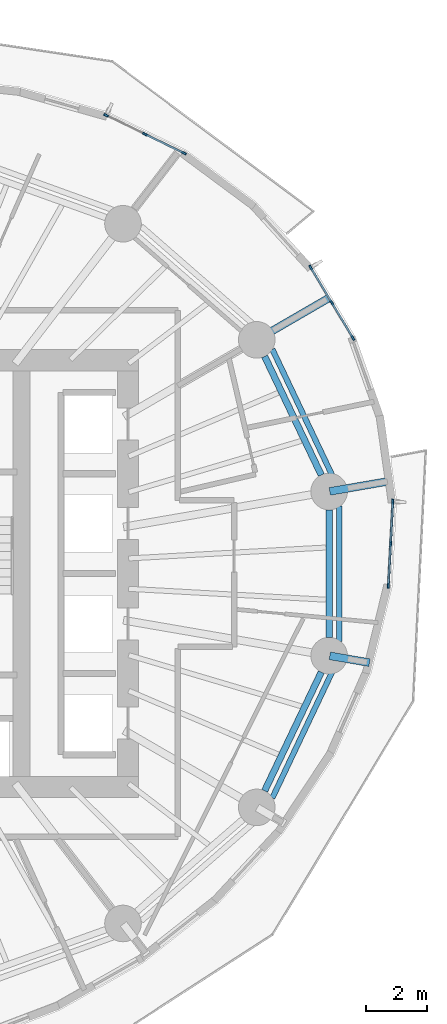
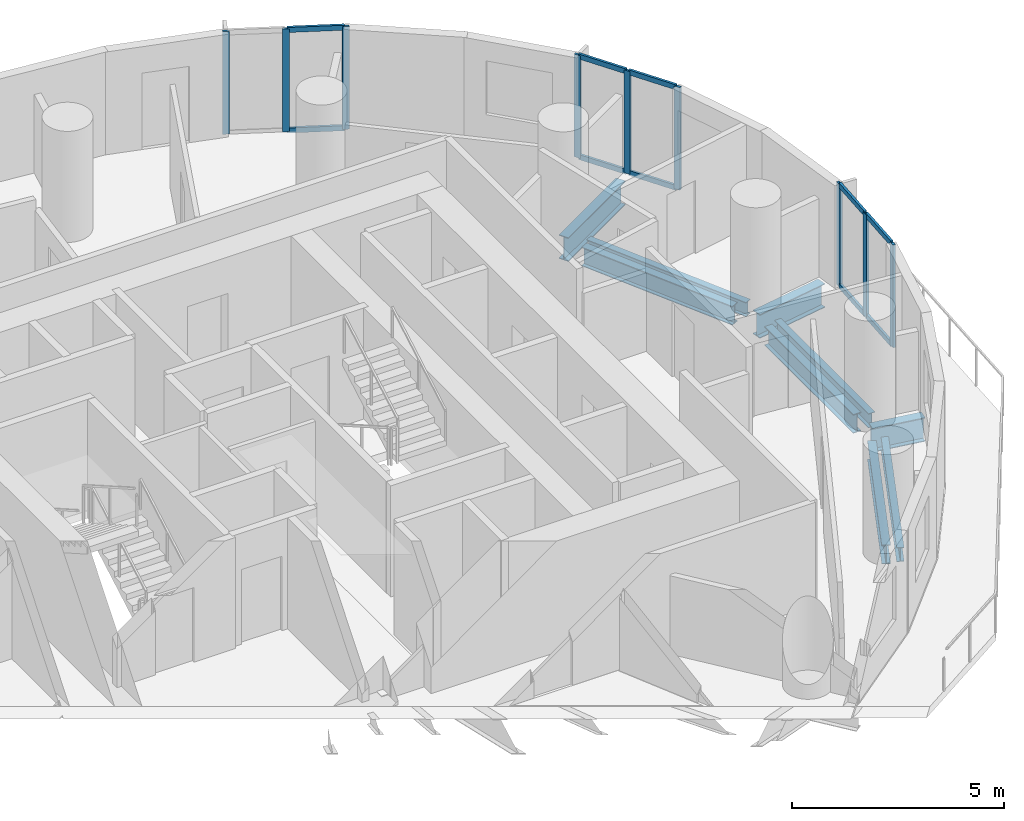
# One storey, part 5 of 15: 19 members, 9 beams, 3 elements without a shape of their own.
"""IFC4 building model written with IfcOpenShell, lengths in metres."""

from ifc_helpers import new_model, si_unit, direction, frame, origin, origin_2d, place, context, subcontext, project, spatial, rectangle, i_section, extrude, material, material_profile, profile_set, type_object, element, aggregate, save


model = new_model("IFC4")

# Units and contexts
model_context = context("Model", 3, precision=1e-05, world=origin(), true_north=direction((0.0, 1.0)))
body_context = subcontext(model_context, "Body", "Model", "MODEL_VIEW")
ifc_project = project(units=[si_unit("LENGTHUNIT", "METRE"), si_unit("AREAUNIT", "SQUARE_METRE"), si_unit("VOLUMEUNIT", "CUBIC_METRE"), si_unit("PLANEANGLEUNIT", "RADIAN"), si_unit("MASSUNIT", "GRAM", prefix="KILO")], contexts=[model_context])

# Site, building, storey
site_placement = place(None, origin())
site = spatial("IfcSite", under=ifc_project, at=site_placement, CompositionType="ELEMENT")
building_placement = place(site_placement, origin())
building = spatial("IfcBuilding", under=site, at=building_placement, Name="Veldorim Arch Residences", CompositionType="ELEMENT")
storey_placement = place(building_placement, frame((0.0, 0.0, 102.8798828125)))
storey = spatial("IfcBuildingStorey", under=building, at=storey_placement, Name="L30", CompositionType="ELEMENT", Elevation=102.8798828125)

# Beams
ifc_material_1 = material(Name="Steel S355", Category="steel")
ifc_material_profile_1 = material_profile(ifc_material_1, i_section(OverallWidth=0.2119140625, OverallDepth=0.54443359375, WebThickness=0.0126953125, FlangeThickness=0.021240234375, at=origin_2d()), Name="UB533x210x122")
ifc_profile_set_1 = profile_set([ifc_material_profile_1], Name="Steel S355")
beam_type_1 = type_object("IfcBeamType", Name="Structural Steel Beam UB533x210x122", PredefinedType="BEAM", material=ifc_profile_set_1)
for number, where, z_axis, x_axis, name in (
    (1, (47.336181640625, 27.233642578125, -0.511962890625), (-0.430720154476, 0.902485539235, 0.0), (-0.902485539235, -0.430720154476, 0.0), "L30 perimeter ring tie beam 01"),
    (2, (45.478759765625, 16.87451171875, -0.511962890625), (0.430720154476, 0.902485539235, 0.0), (-0.902485539235, 0.430720154476, 0.0), "L30 perimeter ring tie beam 15"),
):
    element("IfcBeam", number, at=place(storey_placement, frame(where, z_axis=z_axis, x_axis=x_axis)), inside=storey, type_object=beam_type_1, Name=name, PredefinedType="BEAM", context=body_context, shape_type="SweptSolid", body=[
        extrude(i_section(OverallWidth=0.2119140625, OverallDepth=0.54443359375, WebThickness=0.0126953125, FlangeThickness=0.021240234375, at=origin_2d()), origin(), (0.0, 0.0, 1.0), 4.312255859375),
    ])
beam_1_placement = place(storey_placement, frame((47.594482421875, 21.90771484375, -0.511962890625), z_axis=(0.0, 1.0, 0.0), x_axis=(-1.0, 0.0, 0.0)))
element("IfcBeam", 3, at=beam_1_placement, inside=storey, type_object=beam_type_1, Name="L30 perimeter ring tie beam 16", PredefinedType="BEAM", context=body_context, shape_type="SweptSolid", body=[
    extrude(i_section(OverallWidth=0.2119140625, OverallDepth=0.54443359375, WebThickness=0.0126953125, FlangeThickness=0.021240234375, at=origin_2d()), origin(), (0.0, 0.0, 1.0), 4.1845703125),
])
ifc_material_2 = material(Name="Steel S355", Category="steel")
ifc_material_profile_2 = material_profile(ifc_material_2, i_section(OverallWidth=0.25439453125, OverallDepth=0.6875, WebThickness=0.01318359375, FlangeThickness=0.02099609375, at=origin_2d()), Name="UB686x254x152")
ifc_profile_set_2 = profile_set([ifc_material_profile_2], Name="Steel S355")
beam_type_2 = type_object("IfcBeamType", Name="Structural Steel GIRDER UB686x254x152", PredefinedType="USERDEFINED", material=ifc_profile_set_2)
beam_2_placement = place(storey_placement, frame((47.6142578125, 26.695556640625, -0.58349609375), z_axis=(0.985416355925, 0.170160528549, 0.0), x_axis=(-0.170160528549, 0.985416355925, 0.0)))
element("IfcBeam", 4, at=beam_2_placement, inside=storey, type_object=beam_type_2, Name="L30 radial edge cantilever girder 01", ObjectType="GIRDER", PredefinedType="USERDEFINED", context=body_context, shape_type="SweptSolid", body=[
    extrude(i_section(OverallWidth=0.25439453125, OverallDepth=0.6875, WebThickness=0.01318359375, FlangeThickness=0.02099609375, at=origin_2d()), origin(), (0.0, 0.0, 1.0), 1.99853515625),
])
beam_3_placement = place(storey_placement, frame((45.23779296875, 31.677001953125, -0.58349609375), z_axis=(0.865067975698, 0.501654659523, 0.0), x_axis=(-0.501654659523, 0.865067975698, 0.0)))
element("IfcBeam", 5, at=beam_3_placement, inside=storey, type_object=beam_type_2, Name="L30 radial edge cantilever girder 02", ObjectType="GIRDER", PredefinedType="USERDEFINED", context=body_context, shape_type="SweptSolid", body=[
    extrude(i_section(OverallWidth=0.25439453125, OverallDepth=0.6875, WebThickness=0.01318359375, FlangeThickness=0.02099609375, at=origin_2d()), origin(), (0.0, 0.0, 1.0), 2.707275390625),
])
beam_4_placement = place(storey_placement, frame((47.6142578125, 21.304443359375, -0.58349609375), z_axis=(0.985414257331, -0.170172681262, 0.0), x_axis=(0.170172681262, 0.985414257331, 0.0)))
element("IfcBeam", 6, at=beam_4_placement, inside=storey, type_object=beam_type_2, Name="L30 radial edge cantilever girder 16", ObjectType="GIRDER", PredefinedType="USERDEFINED", context=body_context, shape_type="SweptSolid", body=[
    extrude(i_section(OverallWidth=0.25439453125, OverallDepth=0.6875, WebThickness=0.01318359375, FlangeThickness=0.02099609375, at=origin_2d()), origin(), (0.0, 0.0, 1.0), 1.32275390625),
])
ifc_material_3 = material(Name="Steel S355", Category="steel")
ifc_material_profile_3 = material_profile(ifc_material_3, i_section(OverallWidth=0.1787109375, OverallDepth=0.409423828125, WebThickness=0.0087890625, FlangeThickness=0.014404296875, at=origin_2d()), Name="UB406x178x67")
ifc_profile_set_3 = profile_set([ifc_material_profile_3], Name="Steel S355")
beam_type_3 = type_object("IfcBeamType", Name="Structural Steel Spandrel UB406x178x67", PredefinedType="SPANDREL", material=ifc_profile_set_3)
for number, where, z_axis, x_axis, name in (
    (7, (47.693115234375, 27.225341796875, -0.464599609375), (-0.428857472204, 0.903372165021, 0.0), (-0.903372165021, -0.428857472204, 0.0), "L30 perimeter chord spandrel beam 01"),
    (8, (45.732421875, 16.64453125, -0.464599609375), (0.428857472204, 0.903372165021, 0.0), (-0.903372165021, 0.428857472204, 0.0), "L30 perimeter chord spandrel beam 15"),
):
    element("IfcBeam", number, at=place(storey_placement, frame(where, z_axis=z_axis, x_axis=x_axis)), inside=storey, type_object=beam_type_3, Name=name, PredefinedType="SPANDREL", context=body_context, shape_type="SweptSolid", body=[
        extrude(i_section(OverallWidth=0.1787109375, OverallDepth=0.409423828125, WebThickness=0.0087890625, FlangeThickness=0.014404296875, at=origin_2d()), origin(), (0.0, 0.0, 1.0), 4.572021484375),
    ])
beam_5_placement = place(storey_placement, frame((47.919677734375, 21.77978515625, -0.464599609375), z_axis=(0.0, 1.0, 0.0), x_axis=(-1.0, 0.0, 0.0)))
element("IfcBeam", 9, at=beam_5_placement, inside=storey, type_object=beam_type_3, Name="L30 perimeter chord spandrel beam 16", PredefinedType="SPANDREL", context=body_context, shape_type="SweptSolid", body=[
    extrude(i_section(OverallWidth=0.1787109375, OverallDepth=0.409423828125, WebThickness=0.0087890625, FlangeThickness=0.014404296875, at=origin_2d()), origin(), (0.0, 0.0, 1.0), 4.4404296875),
])

# Curtain wall, members
ifc_material_4 = material(Name="Aluminium", Category="aluminium")
curtain_wall_type = type_object("IfcCurtainWallType", Name="Zone 2 Solar-Control Unitised Curtain Wall", PredefinedType="NOTDEFINED", material=ifc_material_4)
curtain_wall_1_placement = place(storey_placement, origin())
curtain_wall_1 = element("IfcCurtainWall", 10, at=curtain_wall_1_placement, inside=storey, type_object=curtain_wall_type, Name="L30 unitised curtain wall bay 01", PredefinedType="NOTDEFINED")
ifc_material_5 = material(Name="Aluminium", Category="aluminium")
ifc_material_profile_4 = material_profile(ifc_material_5, rectangle(XDim=0.06494140625, YDim=0.1650390625, at=origin_2d()), Name="ALU_MUL_65x165")
ifc_profile_set_4 = profile_set([ifc_material_profile_4], Name="Aluminium")
member_type_1 = type_object("IfcMemberType", Name="Zone 2 Solar-Control Unitised Curtain Wall Mullion 65x165", PredefinedType="MULLION", material=ifc_profile_set_4)
member_1_placement = place(storey_placement, frame((46.989013671875, 34.039794921875, 0.0), z_axis=(0.0, 0.0, 1.0), x_axis=(0.85756971039, 0.514367759315, 0.0)))
member_1 = element("IfcMember", 11, at=member_1_placement, type_object=member_type_1, Name="CW-Z2 mullion 1", PredefinedType="MULLION", context=body_context, shape_type="SweptSolid", body=[
    extrude(rectangle(XDim=0.06494140625, YDim=0.1650390625, at=origin_2d()), origin(), (0.0, 0.0, 1.0), 2.960205078125),
])
member_2_placement = place(storey_placement, frame((47.681396484375, 32.88525390625, 0.0), z_axis=(0.0, 0.0, 1.0), x_axis=(0.85756971039, 0.514367759315, 0.0)))
member_2 = element("IfcMember", 12, at=member_2_placement, type_object=member_type_1, Name="CW-Z2 mullion 2", PredefinedType="MULLION", context=body_context, shape_type="SweptSolid", body=[
    extrude(rectangle(XDim=0.06494140625, YDim=0.1650390625, at=origin_2d()), origin(), (0.0, 0.0, 1.0), 2.960205078125),
])
member_3_placement = place(storey_placement, frame((48.3740234375, 31.730712890625, 0.0), z_axis=(0.0, 0.0, 1.0), x_axis=(0.85756971039, 0.514367759315, 0.0)))
member_3 = element("IfcMember", 13, at=member_3_placement, type_object=member_type_1, Name="CW-Z2 mullion 3", PredefinedType="MULLION", context=body_context, shape_type="SweptSolid", body=[
    extrude(rectangle(XDim=0.06494140625, YDim=0.1650390625, at=origin_2d()), origin(), (0.0, 0.0, 1.0), 2.960205078125),
])

curtain_wall_2_placement = place(storey_placement, origin())
curtain_wall_2 = element("IfcCurtainWall", 14, at=curtain_wall_2_placement, inside=storey, type_object=curtain_wall_type, Name="L30 unitised curtain wall bay 04", PredefinedType="NOTDEFINED")
member_4_placement = place(storey_placement, frame((40.28076171875, 39.030517578125, 0.0), z_axis=(0.0, 0.0, 1.0), x_axis=(0.436999671959, 0.899461664946, 0.0)))
member_4 = element("IfcMember", 15, at=member_4_placement, type_object=member_type_1, Name="CW-Z2 mullion 1", PredefinedType="MULLION", context=body_context, shape_type="SweptSolid", body=[
    extrude(rectangle(XDim=0.06494140625, YDim=0.1650390625, at=origin_2d()), origin(), (0.0, 0.0, 1.0), 2.960205078125),
])
member_5_placement = place(storey_placement, frame((41.55517578125, 38.411376953125, 0.0), z_axis=(0.0, 0.0, 1.0), x_axis=(0.436999671959, 0.899461664946, 0.0)))
member_5 = element("IfcMember", 16, at=member_5_placement, type_object=member_type_1, Name="CW-Z2 mullion 2", PredefinedType="MULLION", context=body_context, shape_type="SweptSolid", body=[
    extrude(rectangle(XDim=0.06494140625, YDim=0.1650390625, at=origin_2d()), origin(), (0.0, 0.0, 1.0), 2.960205078125),
])
member_6_placement = place(storey_placement, frame((42.829345703125, 37.792236328125, 0.0), z_axis=(0.0, 0.0, 1.0), x_axis=(0.436999671959, 0.899461664946, 0.0)))
member_6 = element("IfcMember", 17, at=member_6_placement, type_object=member_type_1, Name="CW-Z2 mullion 3", PredefinedType="MULLION", context=body_context, shape_type="SweptSolid", body=[
    extrude(rectangle(XDim=0.06494140625, YDim=0.1650390625, at=origin_2d()), origin(), (0.0, 0.0, 1.0), 2.960205078125),
])

curtain_wall_3_placement = place(storey_placement, origin())
curtain_wall_3 = element("IfcCurtainWall", 18, at=curtain_wall_3_placement, inside=storey, type_object=curtain_wall_type, Name="L30 unitised curtain wall bay 34", PredefinedType="NOTDEFINED")
member_7_placement = place(storey_placement, frame((49.68408203125, 26.364501953125, 0.0), z_axis=(0.0, 0.0, 1.0), x_axis=(0.998590099536, -0.053083077429, 0.0)))
member_7 = element("IfcMember", 19, at=member_7_placement, type_object=member_type_1, Name="CW-Z2 mullion 1", PredefinedType="MULLION", context=body_context, shape_type="SweptSolid", body=[
    extrude(rectangle(XDim=0.06494140625, YDim=0.1650390625, at=origin_2d()), origin(), (0.0, 0.0, 1.0), 2.960205078125),
])
member_8_placement = place(storey_placement, frame((49.610595703125, 24.982421875, 0.0), z_axis=(0.0, 0.0, 1.0), x_axis=(0.998590099536, -0.053083077429, 0.0)))
member_8 = element("IfcMember", 20, at=member_8_placement, type_object=member_type_1, Name="CW-Z2 mullion 2", PredefinedType="MULLION", context=body_context, shape_type="SweptSolid", body=[
    extrude(rectangle(XDim=0.06494140625, YDim=0.1650390625, at=origin_2d()), origin(), (0.0, 0.0, 1.0), 2.960205078125),
])
member_9_placement = place(storey_placement, frame((49.537109375, 23.60009765625, 0.0), z_axis=(0.0, 0.0, 1.0), x_axis=(0.998590099536, -0.053083077429, 0.0)))
member_9 = element("IfcMember", 21, at=member_9_placement, type_object=member_type_1, Name="CW-Z2 mullion 3", PredefinedType="MULLION", context=body_context, shape_type="SweptSolid", body=[
    extrude(rectangle(XDim=0.06494140625, YDim=0.1650390625, at=origin_2d()), origin(), (0.0, 0.0, 1.0), 2.960205078125),
])

# Member
ifc_material_6 = material(Name="Aluminium", Category="aluminium")
ifc_material_profile_5 = material_profile(ifc_material_6, rectangle(XDim=0.06494140625, YDim=0.14501953125, at=origin_2d()), Name="ALU_TRN_65x145")
ifc_profile_set_5 = profile_set([ifc_material_profile_5], Name="Aluminium")
member_type_2 = type_object("IfcMemberType", Name="Zone 2 Solar-Control Unitised Curtain Wall Transom 65x145", PredefinedType="USERDEFINED", material=ifc_profile_set_5)
member_10_placement = place(storey_placement, frame((47.005615234375, 34.011962890625, 0.03271484375), z_axis=(0.514411698757, -0.857543354112, 0.0), x_axis=(0.857543354112, 0.514411698757, 0.0)))
member_10 = element("IfcMember", 22, at=member_10_placement, type_object=member_type_2, Name="CW-Z2 transom 1.1", ObjectType="TRANSOM", PredefinedType="USERDEFINED", context=body_context, shape_type="SweptSolid", body=[
    extrude(rectangle(XDim=0.06494140625, YDim=0.14501953125, at=origin_2d()), origin(), (0.0, 0.0, 1.0), 1.281494140625),
])

member_11_placement = place(storey_placement, frame((47.005615234375, 34.011962890625, 2.927734375), z_axis=(0.514411698757, -0.857543354112, 0.0), x_axis=(0.857543354112, 0.514411698757, 0.0)))
member_11 = element("IfcMember", 23, at=member_11_placement, type_object=member_type_2, Name="CW-Z2 transom 1.2", ObjectType="TRANSOM", PredefinedType="USERDEFINED", context=body_context, shape_type="SweptSolid", body=[
    extrude(rectangle(XDim=0.06494140625, YDim=0.14501953125, at=origin_2d()), origin(), (0.0, 0.0, 1.0), 1.281494140625),
])

member_12_placement = place(storey_placement, frame((47.6982421875, 32.857421875, 0.03271484375), z_axis=(0.514271571349, -0.85762739631, 0.0), x_axis=(0.85762739631, 0.514271571349, 0.0)))
member_12 = element("IfcMember", 24, at=member_12_placement, type_object=member_type_2, Name="CW-Z2 transom 2.1", ObjectType="TRANSOM", PredefinedType="USERDEFINED", context=body_context, shape_type="SweptSolid", body=[
    extrude(rectangle(XDim=0.06494140625, YDim=0.14501953125, at=origin_2d()), origin(), (0.0, 0.0, 1.0), 1.28125),
])

member_13_placement = place(storey_placement, frame((47.6982421875, 32.857421875, 2.927734375), z_axis=(0.514271571349, -0.85762739631, 0.0), x_axis=(0.85762739631, 0.514271571349, 0.0)))
member_13 = element("IfcMember", 25, at=member_13_placement, type_object=member_type_2, Name="CW-Z2 transom 2.2", ObjectType="TRANSOM", PredefinedType="USERDEFINED", context=body_context, shape_type="SweptSolid", body=[
    extrude(rectangle(XDim=0.06494140625, YDim=0.14501953125, at=origin_2d()), origin(), (0.0, 0.0, 1.0), 1.28125),
])

aggregate(curtain_wall_1, [member_1, member_2, member_3, member_10, member_11, member_12, member_13])

member_14_placement = place(storey_placement, frame((41.584228515625, 38.397216796875, 0.03271484375), z_axis=(0.899427024625, -0.437070963774, 0.0), x_axis=(0.437070963774, 0.899427024625, 0.0)))
member_14 = element("IfcMember", 26, at=member_14_placement, type_object=member_type_2, Name="CW-Z2 transom 2.1", ObjectType="TRANSOM", PredefinedType="USERDEFINED", context=body_context, shape_type="SweptSolid", body=[
    extrude(rectangle(XDim=0.06494140625, YDim=0.14501953125, at=origin_2d()), origin(), (0.0, 0.0, 1.0), 1.351806640625),
])

member_15_placement = place(storey_placement, frame((41.584228515625, 38.397216796875, 2.927734375), z_axis=(0.899427024625, -0.437070963774, 0.0), x_axis=(0.437070963774, 0.899427024625, 0.0)))
member_15 = element("IfcMember", 27, at=member_15_placement, type_object=member_type_2, Name="CW-Z2 transom 2.2", ObjectType="TRANSOM", PredefinedType="USERDEFINED", context=body_context, shape_type="SweptSolid", body=[
    extrude(rectangle(XDim=0.06494140625, YDim=0.14501953125, at=origin_2d()), origin(), (0.0, 0.0, 1.0), 1.351806640625),
])

aggregate(curtain_wall_2, [member_4, member_5, member_6, member_14, member_15])

member_16_placement = place(storey_placement, frame((49.68212890625, 26.33203125, 0.03271484375), z_axis=(-0.052937715551, -0.998597816076, 0.0), x_axis=(0.998597816076, -0.052937715551, 0.0)))
member_16 = element("IfcMember", 28, at=member_16_placement, type_object=member_type_2, Name="CW-Z2 transom 1.1", ObjectType="TRANSOM", PredefinedType="USERDEFINED", context=body_context, shape_type="SweptSolid", body=[
    extrude(rectangle(XDim=0.06494140625, YDim=0.14501953125, at=origin_2d()), origin(), (0.0, 0.0, 1.0), 1.319091796875),
])

member_17_placement = place(storey_placement, frame((49.68212890625, 26.33203125, 2.927734375), z_axis=(-0.052937715551, -0.998597816076, 0.0), x_axis=(0.998597816076, -0.052937715551, 0.0)))
member_17 = element("IfcMember", 29, at=member_17_placement, type_object=member_type_2, Name="CW-Z2 transom 1.2", ObjectType="TRANSOM", PredefinedType="USERDEFINED", context=body_context, shape_type="SweptSolid", body=[
    extrude(rectangle(XDim=0.06494140625, YDim=0.14501953125, at=origin_2d()), origin(), (0.0, 0.0, 1.0), 1.319091796875),
])

member_18_placement = place(storey_placement, frame((49.60888671875, 24.949951171875, 0.03271484375), z_axis=(-0.053112474047, -0.998588536436, 0.0), x_axis=(0.998588536436, -0.053112474047, 0.0)))
member_18 = element("IfcMember", 30, at=member_18_placement, type_object=member_type_2, Name="CW-Z2 transom 2.1", ObjectType="TRANSOM", PredefinedType="USERDEFINED", context=body_context, shape_type="SweptSolid", body=[
    extrude(rectangle(XDim=0.06494140625, YDim=0.14501953125, at=origin_2d()), origin(), (0.0, 0.0, 1.0), 1.3193359375),
])

member_19_placement = place(storey_placement, frame((49.60888671875, 24.949951171875, 2.927734375), z_axis=(-0.053112474047, -0.998588536436, 0.0), x_axis=(0.998588536436, -0.053112474047, 0.0)))
member_19 = element("IfcMember", 31, at=member_19_placement, type_object=member_type_2, Name="CW-Z2 transom 2.2", ObjectType="TRANSOM", PredefinedType="USERDEFINED", context=body_context, shape_type="SweptSolid", body=[
    extrude(rectangle(XDim=0.06494140625, YDim=0.14501953125, at=origin_2d()), origin(), (0.0, 0.0, 1.0), 1.3193359375),
])

aggregate(curtain_wall_3, [member_7, member_8, member_9, member_16, member_17, member_18, member_19])

save(model, "model.ifc")
